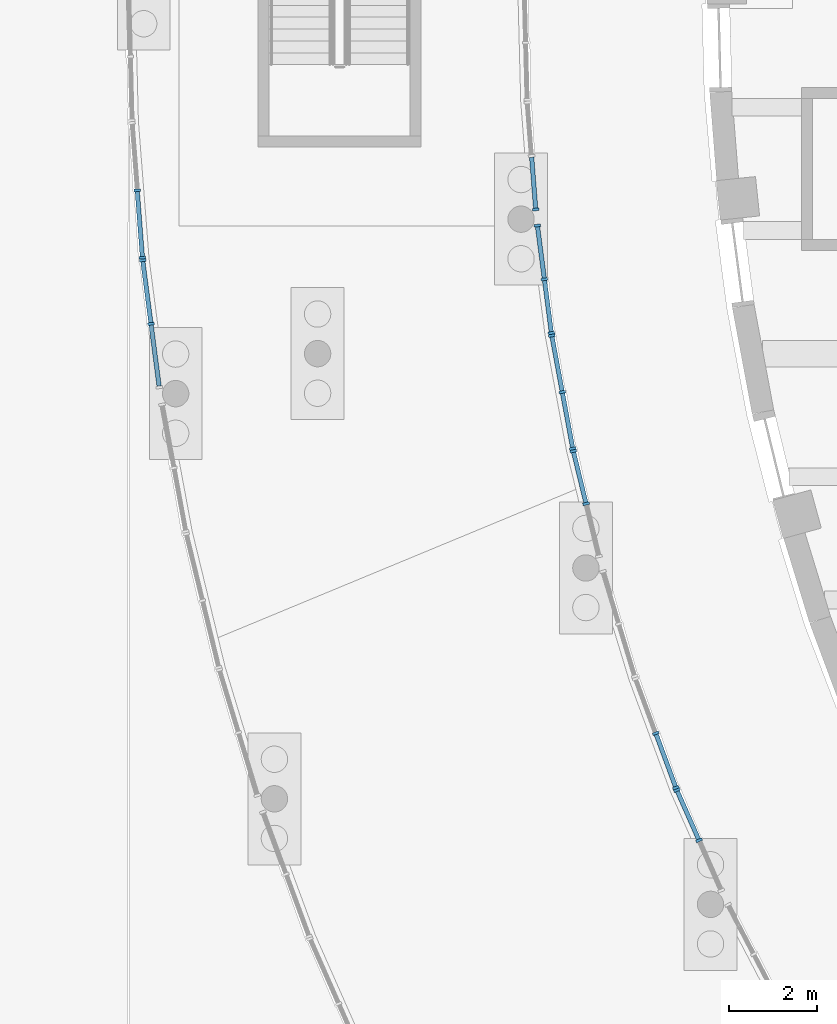
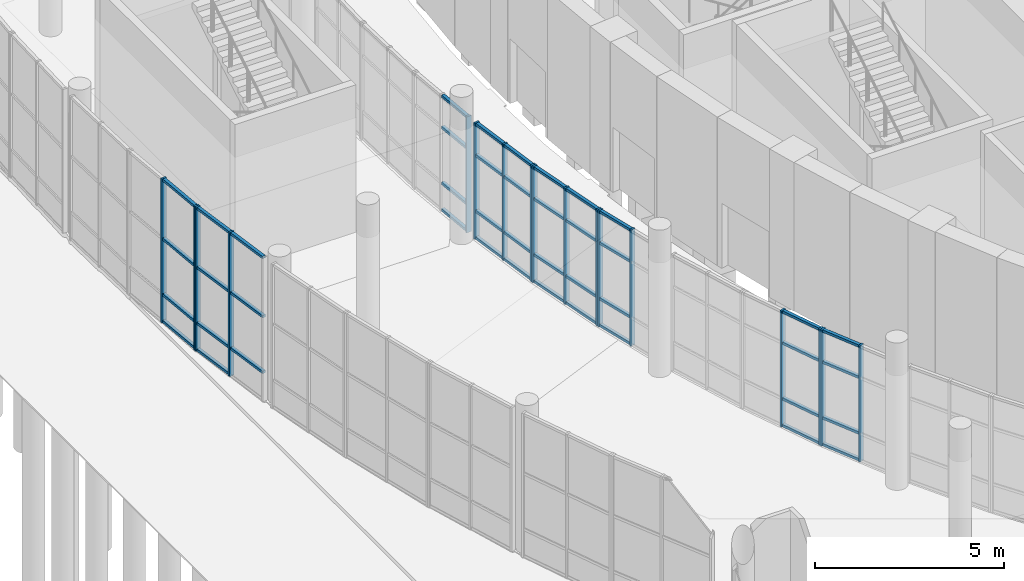
# One storey, part 21 of 110: 60 members, 8 elements without a shape of their own.
"""IFC4 building model written with IfcOpenShell, lengths in metres."""

from ifc_helpers import new_model, si_unit, direction, frame, origin, origin_2d, place, context, subcontext, project, spatial, rectangle, extrude, material, layer, layer_set, material_profile, profile_set, type_object, element, aggregate, save


model = new_model("IFC4")

# Units and contexts
model_context = context("Model", 3, precision=1e-05, world=origin(), true_north=direction((0.0, 1.0)))
body_context = subcontext(model_context, "Body", "Model", "MODEL_VIEW")
ifc_project = project(units=[si_unit("LENGTHUNIT", "METRE"), si_unit("AREAUNIT", "SQUARE_METRE"), si_unit("VOLUMEUNIT", "CUBIC_METRE"), si_unit("PLANEANGLEUNIT", "RADIAN"), si_unit("MASSUNIT", "GRAM", prefix="KILO")], contexts=[model_context])

# Site, building, storey
site_placement = place(None, origin())
site = spatial("IfcSite", under=ifc_project, at=site_placement, CompositionType="ELEMENT")
building_placement = place(site_placement, origin())
building = spatial("IfcBuilding", under=site, at=building_placement, Name="Larchfold Concert Hall", CompositionType="ELEMENT")
storey_placement = place(building_placement, origin())
storey = spatial("IfcBuildingStorey", under=building, at=storey_placement, Name="L00", CompositionType="ELEMENT", Elevation=0.0)

# Curtain wall, members
ifc_material_1 = material(Name="Anodised graphite aluminium curtain wall", Category="aluminium")
ifc_layer = layer(ifc_material_1, 0.14990234375)
ifc_layer_set = layer_set([ifc_layer], Name="Anodised graphite aluminium curtain wall")
curtain_wall_type = type_object("IfcCurtainWallType", Name="Curtain wall WG", PredefinedType="NOTDEFINED", material=ifc_layer_set)
curtain_wall_1_placement = place(storey_placement, origin())
curtain_wall_1 = element("IfcCurtainWall", 1, at=curtain_wall_1_placement, inside=storey, type_object=curtain_wall_type, Name="Curtain wall CW0063", PredefinedType="NOTDEFINED")
ifc_material_2 = material(Name="Anodised graphite aluminium mullion", Category="aluminium")
ifc_material_profile_1 = material_profile(ifc_material_2, rectangle(XDim=0.14990234375, YDim=0.06005859375, at=origin_2d()))
ifc_profile_set_1 = profile_set([ifc_material_profile_1], Name="Anodised graphite aluminium mullion")
member_type_1 = type_object("IfcMemberType", Name="Aluminium mullion 60x150", PredefinedType="MULLION", material=ifc_profile_set_1)
member_1_placement = place(storey_placement, frame((17.672119140625, 65.135986328125, 0.0), z_axis=(0.0, 0.0, 1.0), x_axis=(-0.914747417506, -0.40402618995, 0.0)))
member_1 = element("IfcMember", 2, at=member_1_placement, type_object=member_type_1, Name="CW0063 mullion 2", PredefinedType="MULLION", context=body_context, shape_type="SweptSolid", body=[
    extrude(rectangle(XDim=0.14990234375, YDim=0.06005859375, at=origin_2d()), origin(), (0.0, 0.0, 1.0), 3.75),
])
member_2_placement = place(storey_placement, frame((17.16845703125, 66.276611328125, 0.0), z_axis=(0.0, 0.0, 1.0), x_axis=(-0.914747417506, -0.40402618995, 0.0)))
member_2 = element("IfcMember", 3, at=member_2_placement, type_object=member_type_1, Name="CW0063 mullion 3", PredefinedType="MULLION", context=body_context, shape_type="SweptSolid", body=[
    extrude(rectangle(XDim=0.14990234375, YDim=0.06005859375, at=origin_2d()), origin(), (0.0, 0.0, 1.0), 3.75),
])

curtain_wall_2_placement = place(storey_placement, origin())
curtain_wall_2 = element("IfcCurtainWall", 4, at=curtain_wall_2_placement, inside=storey, type_object=curtain_wall_type, Name="Curtain wall CW0064", PredefinedType="NOTDEFINED")
member_3_placement = place(storey_placement, frame((17.145751953125, 66.33203125, 0.0), z_axis=(0.0, 0.0, 1.0), x_axis=(-0.938001528432, -0.346631119, 0.0)))
member_3 = element("IfcMember", 5, at=member_3_placement, type_object=member_type_1, Name="CW0064 mullion 1", PredefinedType="MULLION", context=body_context, shape_type="SweptSolid", body=[
    extrude(rectangle(XDim=0.14990234375, YDim=0.06005859375, at=origin_2d()), origin(), (0.0, 0.0, 1.0), 3.75),
])
member_4_placement = place(storey_placement, frame((16.688232421875, 67.5703125, 0.0), z_axis=(0.0, 0.0, 1.0), x_axis=(-0.938001528432, -0.346631119, 0.0)))
member_4 = element("IfcMember", 6, at=member_4_placement, type_object=member_type_1, Name="CW0064 mullion 2", PredefinedType="MULLION", context=body_context, shape_type="SweptSolid", body=[
    extrude(rectangle(XDim=0.14990234375, YDim=0.06005859375, at=origin_2d()), origin(), (0.0, 0.0, 1.0), 3.75),
])

curtain_wall_3_placement = place(storey_placement, origin())
curtain_wall_3 = element("IfcCurtainWall", 7, at=curtain_wall_3_placement, inside=storey, type_object=curtain_wall_type, Name="Curtain wall CW0066", PredefinedType="NOTDEFINED")
member_5_placement = place(storey_placement, frame((15.1044921875, 72.787841796875, 0.0), z_axis=(0.0, 0.0, 1.0), x_axis=(-0.971766073128, -0.235946390347, 0.0)))
member_5 = element("IfcMember", 8, at=member_5_placement, type_object=member_type_1, Name="CW0066 mullion 2", PredefinedType="MULLION", context=body_context, shape_type="SweptSolid", body=[
    extrude(rectangle(XDim=0.14990234375, YDim=0.06005859375, at=origin_2d()), origin(), (0.0, 0.0, 1.0), 3.75),
])
member_6_placement = place(storey_placement, frame((14.81396484375, 73.984130859375, 0.0), z_axis=(0.0, 0.0, 1.0), x_axis=(-0.971766073128, -0.235946390347, 0.0)))
member_6 = element("IfcMember", 9, at=member_6_placement, type_object=member_type_1, Name="CW0066 mullion 3", PredefinedType="MULLION", context=body_context, shape_type="SweptSolid", body=[
    extrude(rectangle(XDim=0.14990234375, YDim=0.06005859375, at=origin_2d()), origin(), (0.0, 0.0, 1.0), 3.75),
])

curtain_wall_4_placement = place(storey_placement, origin())
curtain_wall_4 = element("IfcCurtainWall", 10, at=curtain_wall_4_placement, inside=storey, type_object=curtain_wall_type, Name="Curtain wall CW0067", PredefinedType="NOTDEFINED")
member_7_placement = place(storey_placement, frame((14.801513671875, 74.042724609375, 0.0), z_axis=(0.0, 0.0, 1.0), x_axis=(-0.983226211079, -0.182390289896, 0.0)))
member_7 = element("IfcMember", 11, at=member_7_placement, type_object=member_type_1, Name="CW0067 mullion 1", PredefinedType="MULLION", context=body_context, shape_type="SweptSolid", body=[
    extrude(rectangle(XDim=0.14990234375, YDim=0.06005859375, at=origin_2d()), origin(), (0.0, 0.0, 1.0), 3.75),
])
member_8_placement = place(storey_placement, frame((14.563232421875, 75.32666015625, 0.0), z_axis=(0.0, 0.0, 1.0), x_axis=(-0.983226211079, -0.182390289896, 0.0)))
member_8 = element("IfcMember", 12, at=member_8_placement, type_object=member_type_1, Name="CW0067 mullion 2", PredefinedType="MULLION", context=body_context, shape_type="SweptSolid", body=[
    extrude(rectangle(XDim=0.14990234375, YDim=0.06005859375, at=origin_2d()), origin(), (0.0, 0.0, 1.0), 3.75),
])
member_9_placement = place(storey_placement, frame((14.324951171875, 76.610595703125, 0.0), z_axis=(0.0, 0.0, 1.0), x_axis=(-0.983226211079, -0.182390289896, 0.0)))
member_9 = element("IfcMember", 13, at=member_9_placement, type_object=member_type_1, Name="CW0067 mullion 3", PredefinedType="MULLION", context=body_context, shape_type="SweptSolid", body=[
    extrude(rectangle(XDim=0.14990234375, YDim=0.06005859375, at=origin_2d()), origin(), (0.0, 0.0, 1.0), 3.75),
])

curtain_wall_5_placement = place(storey_placement, origin())
curtain_wall_5 = element("IfcCurtainWall", 14, at=curtain_wall_5_placement, inside=storey, type_object=curtain_wall_type, Name="Curtain wall CW0068", PredefinedType="NOTDEFINED")
member_10_placement = place(storey_placement, frame((14.315673828125, 76.669921875, 0.0), z_axis=(0.0, 0.0, 1.0), x_axis=(-0.991556102919, -0.129678428289, 0.0)))
member_10 = element("IfcMember", 15, at=member_10_placement, type_object=member_type_1, Name="CW0068 mullion 1", PredefinedType="MULLION", context=body_context, shape_type="SweptSolid", body=[
    extrude(rectangle(XDim=0.14990234375, YDim=0.06005859375, at=origin_2d()), origin(), (0.0, 0.0, 1.0), 3.75),
])
member_11_placement = place(storey_placement, frame((14.156005859375, 77.890869140625, 0.0), z_axis=(0.0, 0.0, 1.0), x_axis=(-0.991556102919, -0.129678428289, 0.0)))
member_11 = element("IfcMember", 16, at=member_11_placement, type_object=member_type_1, Name="CW0068 mullion 2", PredefinedType="MULLION", context=body_context, shape_type="SweptSolid", body=[
    extrude(rectangle(XDim=0.14990234375, YDim=0.06005859375, at=origin_2d()), origin(), (0.0, 0.0, 1.0), 3.75),
])
member_12_placement = place(storey_placement, frame((13.996337890625, 79.11181640625, 0.0), z_axis=(0.0, 0.0, 1.0), x_axis=(-0.991556102919, -0.129678428289, 0.0)))
member_12 = element("IfcMember", 17, at=member_12_placement, type_object=member_type_1, Name="CW0068 mullion 3", PredefinedType="MULLION", context=body_context, shape_type="SweptSolid", body=[
    extrude(rectangle(XDim=0.14990234375, YDim=0.06005859375, at=origin_2d()), origin(), (0.0, 0.0, 1.0), 3.75),
])

# Curtain wall, member
curtain_wall_6_placement = place(storey_placement, origin())
curtain_wall_6 = element("IfcCurtainWall", 18, at=curtain_wall_6_placement, inside=storey, type_object=curtain_wall_type, Name="Curtain wall CW0069", PredefinedType="NOTDEFINED")
member_13_placement = place(storey_placement, frame((13.958740234375, 79.477294921875, 0.0), z_axis=(0.0, 0.0, 1.0), x_axis=(-0.996988627345, -0.077547900972, 0.0)))
member_13 = element("IfcMember", 19, at=member_13_placement, type_object=member_type_1, Name="CW0069 mullion 1", PredefinedType="MULLION", context=body_context, shape_type="SweptSolid", body=[
    extrude(rectangle(XDim=0.14990234375, YDim=0.06005859375, at=origin_2d()), origin(), (0.0, 0.0, 1.0), 3.75),
])

# Curtain wall, members
curtain_wall_7_placement = place(storey_placement, origin())
curtain_wall_7 = element("IfcCurtainWall", 20, at=curtain_wall_7_placement, inside=storey, type_object=curtain_wall_type, Name="Curtain wall CW0120", PredefinedType="NOTDEFINED")
member_14_placement = place(storey_placement, frame((4.897705078125, 79.912841796875, 0.0), z_axis=(0.0, 0.0, 1.0), x_axis=(0.996995051833, 0.077465260739, 0.0)))
member_14 = element("IfcMember", 21, at=member_14_placement, type_object=member_type_1, Name="CW0120 mullion 2", PredefinedType="MULLION", context=body_context, shape_type="SweptSolid", body=[
    extrude(rectangle(XDim=0.14990234375, YDim=0.06005859375, at=origin_2d()), origin(), (0.0, 0.0, 1.0), 4.64990234375),
])
member_15_placement = place(storey_placement, frame((5.0166015625, 78.381103515625, 0.0), z_axis=(0.0, 0.0, 1.0), x_axis=(0.996995051833, 0.077465260739, 0.0)))
member_15 = element("IfcMember", 22, at=member_15_placement, type_object=member_type_1, Name="CW0120 mullion 3", PredefinedType="MULLION", context=body_context, shape_type="SweptSolid", body=[
    extrude(rectangle(XDim=0.14990234375, YDim=0.06005859375, at=origin_2d()), origin(), (0.0, 0.0, 1.0), 4.64990234375),
])

curtain_wall_8_placement = place(storey_placement, origin())
curtain_wall_8 = element("IfcCurtainWall", 23, at=curtain_wall_8_placement, inside=storey, type_object=curtain_wall_type, Name="Curtain wall CW0121", PredefinedType="NOTDEFINED")
member_16_placement = place(storey_placement, frame((5.02294921875, 78.3212890625, 0.0), z_axis=(0.0, 0.0, 1.0), x_axis=(0.99154490594, 0.129764014676, 0.0)))
member_16 = element("IfcMember", 24, at=member_16_placement, type_object=member_type_1, Name="CW0121 mullion 1", PredefinedType="MULLION", context=body_context, shape_type="SweptSolid", body=[
    extrude(rectangle(XDim=0.14990234375, YDim=0.06005859375, at=origin_2d()), origin(), (0.0, 0.0, 1.0), 4.64990234375),
])
member_17_placement = place(storey_placement, frame((5.2119140625, 76.87744140625, 0.0), z_axis=(0.0, 0.0, 1.0), x_axis=(0.99154490594, 0.129764014676, 0.0)))
member_17 = element("IfcMember", 25, at=member_17_placement, type_object=member_type_1, Name="CW0121 mullion 2", PredefinedType="MULLION", context=body_context, shape_type="SweptSolid", body=[
    extrude(rectangle(XDim=0.14990234375, YDim=0.06005859375, at=origin_2d()), origin(), (0.0, 0.0, 1.0), 4.64990234375),
])

# Member
ifc_material_3 = material(Name="Anodised graphite aluminium transom", Category="aluminium")
ifc_material_profile_2 = material_profile(ifc_material_3, rectangle(XDim=0.10009765625, YDim=0.080078125, at=origin_2d()))
ifc_profile_set_2 = profile_set([ifc_material_profile_2], Name="Anodised graphite aluminium transom")
member_type_2 = type_object("IfcMemberType", Name="Aluminium transom 80x100", PredefinedType="USERDEFINED", material=ifc_profile_set_2)
member_18_placement = place(storey_placement, frame((17.659912109375, 65.163330078125, 0.0400390625), z_axis=(-0.403999745193, 0.914759097186, 0.0), x_axis=(-0.914759097186, -0.403999745193, 0.0)))
member_18 = element("IfcMember", 26, at=member_18_placement, type_object=member_type_2, Name="CW0063 transom 2.1", ObjectType="TRANSOM", PredefinedType="USERDEFINED", context=body_context, shape_type="SweptSolid", body=[
    extrude(rectangle(XDim=0.10009765625, YDim=0.080078125, at=origin_2d()), origin(), (0.0, 0.0, 1.0), 1.186767578125),
])

member_19_placement = place(storey_placement, frame((17.659912109375, 65.163330078125, 0.89990234375), z_axis=(-0.403999745193, 0.914759097186, 0.0), x_axis=(-0.914759097186, -0.403999745193, 0.0)))
member_19 = element("IfcMember", 27, at=member_19_placement, type_object=member_type_2, Name="CW0063 transom 2.2", ObjectType="TRANSOM", PredefinedType="USERDEFINED", context=body_context, shape_type="SweptSolid", body=[
    extrude(rectangle(XDim=0.10009765625, YDim=0.080078125, at=origin_2d()), origin(), (0.0, 0.0, 1.0), 1.186767578125),
])

member_20_placement = place(storey_placement, frame((17.659912109375, 65.163330078125, 2.699951171875), z_axis=(-0.403999745193, 0.914759097186, 0.0), x_axis=(-0.914759097186, -0.403999745193, 0.0)))
member_20 = element("IfcMember", 28, at=member_20_placement, type_object=member_type_2, Name="CW0063 transom 2.3", ObjectType="TRANSOM", PredefinedType="USERDEFINED", context=body_context, shape_type="SweptSolid", body=[
    extrude(rectangle(XDim=0.10009765625, YDim=0.080078125, at=origin_2d()), origin(), (0.0, 0.0, 1.0), 1.186767578125),
])

member_21_placement = place(storey_placement, frame((17.659912109375, 65.163330078125, 3.7099609375), z_axis=(-0.403999745193, 0.914759097186, 0.0), x_axis=(-0.914759097186, -0.403999745193, 0.0)))
member_21 = element("IfcMember", 29, at=member_21_placement, type_object=member_type_2, Name="CW0063 transom 2.4", ObjectType="TRANSOM", PredefinedType="USERDEFINED", context=body_context, shape_type="SweptSolid", body=[
    extrude(rectangle(XDim=0.10009765625, YDim=0.080078125, at=origin_2d()), origin(), (0.0, 0.0, 1.0), 1.186767578125),
])

aggregate(curtain_wall_1, [member_1, member_2, member_18, member_19, member_20, member_21])

member_22_placement = place(storey_placement, frame((17.135498046875, 66.3603515625, 0.0400390625), z_axis=(-0.346639022733, 0.937998607631, 0.0), x_axis=(-0.937998607631, -0.346639022733, 0.0)))
member_22 = element("IfcMember", 30, at=member_22_placement, type_object=member_type_2, Name="CW0064 transom 1.1", ObjectType="TRANSOM", PredefinedType="USERDEFINED", context=body_context, shape_type="SweptSolid", body=[
    extrude(rectangle(XDim=0.10009765625, YDim=0.080078125, at=origin_2d()), origin(), (0.0, 0.0, 1.0), 1.260009765625),
])

member_23_placement = place(storey_placement, frame((17.135498046875, 66.3603515625, 0.89990234375), z_axis=(-0.346639022733, 0.937998607631, 0.0), x_axis=(-0.937998607631, -0.346639022733, 0.0)))
member_23 = element("IfcMember", 31, at=member_23_placement, type_object=member_type_2, Name="CW0064 transom 1.2", ObjectType="TRANSOM", PredefinedType="USERDEFINED", context=body_context, shape_type="SweptSolid", body=[
    extrude(rectangle(XDim=0.10009765625, YDim=0.080078125, at=origin_2d()), origin(), (0.0, 0.0, 1.0), 1.260009765625),
])

member_24_placement = place(storey_placement, frame((17.135498046875, 66.3603515625, 2.699951171875), z_axis=(-0.346639022733, 0.937998607631, 0.0), x_axis=(-0.937998607631, -0.346639022733, 0.0)))
member_24 = element("IfcMember", 32, at=member_24_placement, type_object=member_type_2, Name="CW0064 transom 1.3", ObjectType="TRANSOM", PredefinedType="USERDEFINED", context=body_context, shape_type="SweptSolid", body=[
    extrude(rectangle(XDim=0.10009765625, YDim=0.080078125, at=origin_2d()), origin(), (0.0, 0.0, 1.0), 1.260009765625),
])

member_25_placement = place(storey_placement, frame((17.135498046875, 66.3603515625, 3.7099609375), z_axis=(-0.346639022733, 0.937998607631, 0.0), x_axis=(-0.937998607631, -0.346639022733, 0.0)))
member_25 = element("IfcMember", 33, at=member_25_placement, type_object=member_type_2, Name="CW0064 transom 1.4", ObjectType="TRANSOM", PredefinedType="USERDEFINED", context=body_context, shape_type="SweptSolid", body=[
    extrude(rectangle(XDim=0.10009765625, YDim=0.080078125, at=origin_2d()), origin(), (0.0, 0.0, 1.0), 1.260009765625),
])

aggregate(curtain_wall_2, [member_3, member_4, member_22, member_23, member_24, member_25])

member_26_placement = place(storey_placement, frame((15.097412109375, 72.817138671875, 0.0400390625), z_axis=(-0.236053588848, 0.971740038895, 0.0), x_axis=(-0.971740038895, -0.236053588848, 0.0)))
member_26 = element("IfcMember", 34, at=member_26_placement, type_object=member_type_2, Name="CW0066 transom 2.1", ObjectType="TRANSOM", PredefinedType="USERDEFINED", context=body_context, shape_type="SweptSolid", body=[
    extrude(rectangle(XDim=0.10009765625, YDim=0.080078125, at=origin_2d()), origin(), (0.0, 0.0, 1.0), 1.1708984375),
])

member_27_placement = place(storey_placement, frame((15.097412109375, 72.817138671875, 0.89990234375), z_axis=(-0.236053588848, 0.971740038895, 0.0), x_axis=(-0.971740038895, -0.236053588848, 0.0)))
member_27 = element("IfcMember", 35, at=member_27_placement, type_object=member_type_2, Name="CW0066 transom 2.2", ObjectType="TRANSOM", PredefinedType="USERDEFINED", context=body_context, shape_type="SweptSolid", body=[
    extrude(rectangle(XDim=0.10009765625, YDim=0.080078125, at=origin_2d()), origin(), (0.0, 0.0, 1.0), 1.1708984375),
])

member_28_placement = place(storey_placement, frame((15.097412109375, 72.817138671875, 2.699951171875), z_axis=(-0.236053588848, 0.971740038895, 0.0), x_axis=(-0.971740038895, -0.236053588848, 0.0)))
member_28 = element("IfcMember", 36, at=member_28_placement, type_object=member_type_2, Name="CW0066 transom 2.3", ObjectType="TRANSOM", PredefinedType="USERDEFINED", context=body_context, shape_type="SweptSolid", body=[
    extrude(rectangle(XDim=0.10009765625, YDim=0.080078125, at=origin_2d()), origin(), (0.0, 0.0, 1.0), 1.1708984375),
])

member_29_placement = place(storey_placement, frame((15.097412109375, 72.817138671875, 3.7099609375), z_axis=(-0.236053588848, 0.971740038895, 0.0), x_axis=(-0.971740038895, -0.236053588848, 0.0)))
member_29 = element("IfcMember", 37, at=member_29_placement, type_object=member_type_2, Name="CW0066 transom 2.4", ObjectType="TRANSOM", PredefinedType="USERDEFINED", context=body_context, shape_type="SweptSolid", body=[
    extrude(rectangle(XDim=0.10009765625, YDim=0.080078125, at=origin_2d()), origin(), (0.0, 0.0, 1.0), 1.1708984375),
])

aggregate(curtain_wall_3, [member_5, member_6, member_26, member_27, member_28, member_29])

member_30_placement = place(storey_placement, frame((14.7958984375, 74.072265625, 0.0400390625), z_axis=(-0.182454169497, 0.983214359147, 0.0), x_axis=(-0.983214359147, -0.182454169497, 0.0)))
member_30 = element("IfcMember", 38, at=member_30_placement, type_object=member_type_2, Name="CW0067 transom 1.1", ObjectType="TRANSOM", PredefinedType="USERDEFINED", context=body_context, shape_type="SweptSolid", body=[
    extrude(rectangle(XDim=0.10009765625, YDim=0.080078125, at=origin_2d()), origin(), (0.0, 0.0, 1.0), 1.245849609375),
])

member_31_placement = place(storey_placement, frame((14.7958984375, 74.072265625, 0.89990234375), z_axis=(-0.182454169497, 0.983214359147, 0.0), x_axis=(-0.983214359147, -0.182454169497, 0.0)))
member_31 = element("IfcMember", 39, at=member_31_placement, type_object=member_type_2, Name="CW0067 transom 1.2", ObjectType="TRANSOM", PredefinedType="USERDEFINED", context=body_context, shape_type="SweptSolid", body=[
    extrude(rectangle(XDim=0.10009765625, YDim=0.080078125, at=origin_2d()), origin(), (0.0, 0.0, 1.0), 1.245849609375),
])

member_32_placement = place(storey_placement, frame((14.7958984375, 74.072265625, 2.699951171875), z_axis=(-0.182454169497, 0.983214359147, 0.0), x_axis=(-0.983214359147, -0.182454169497, 0.0)))
member_32 = element("IfcMember", 40, at=member_32_placement, type_object=member_type_2, Name="CW0067 transom 1.3", ObjectType="TRANSOM", PredefinedType="USERDEFINED", context=body_context, shape_type="SweptSolid", body=[
    extrude(rectangle(XDim=0.10009765625, YDim=0.080078125, at=origin_2d()), origin(), (0.0, 0.0, 1.0), 1.245849609375),
])

member_33_placement = place(storey_placement, frame((14.7958984375, 74.072265625, 3.7099609375), z_axis=(-0.182454169497, 0.983214359147, 0.0), x_axis=(-0.983214359147, -0.182454169497, 0.0)))
member_33 = element("IfcMember", 41, at=member_33_placement, type_object=member_type_2, Name="CW0067 transom 1.4", ObjectType="TRANSOM", PredefinedType="USERDEFINED", context=body_context, shape_type="SweptSolid", body=[
    extrude(rectangle(XDim=0.10009765625, YDim=0.080078125, at=origin_2d()), origin(), (0.0, 0.0, 1.0), 1.245849609375),
])

member_34_placement = place(storey_placement, frame((14.557861328125, 75.356201171875, 0.0400390625), z_axis=(-0.182454169497, 0.983214359147, 0.0), x_axis=(-0.983214359147, -0.182454169497, 0.0)))
member_34 = element("IfcMember", 42, at=member_34_placement, type_object=member_type_2, Name="CW0067 transom 2.1", ObjectType="TRANSOM", PredefinedType="USERDEFINED", context=body_context, shape_type="SweptSolid", body=[
    extrude(rectangle(XDim=0.10009765625, YDim=0.080078125, at=origin_2d()), origin(), (0.0, 0.0, 1.0), 1.245849609375),
])

member_35_placement = place(storey_placement, frame((14.557861328125, 75.356201171875, 0.89990234375), z_axis=(-0.182454169497, 0.983214359147, 0.0), x_axis=(-0.983214359147, -0.182454169497, 0.0)))
member_35 = element("IfcMember", 43, at=member_35_placement, type_object=member_type_2, Name="CW0067 transom 2.2", ObjectType="TRANSOM", PredefinedType="USERDEFINED", context=body_context, shape_type="SweptSolid", body=[
    extrude(rectangle(XDim=0.10009765625, YDim=0.080078125, at=origin_2d()), origin(), (0.0, 0.0, 1.0), 1.245849609375),
])

member_36_placement = place(storey_placement, frame((14.557861328125, 75.356201171875, 2.699951171875), z_axis=(-0.182454169497, 0.983214359147, 0.0), x_axis=(-0.983214359147, -0.182454169497, 0.0)))
member_36 = element("IfcMember", 44, at=member_36_placement, type_object=member_type_2, Name="CW0067 transom 2.3", ObjectType="TRANSOM", PredefinedType="USERDEFINED", context=body_context, shape_type="SweptSolid", body=[
    extrude(rectangle(XDim=0.10009765625, YDim=0.080078125, at=origin_2d()), origin(), (0.0, 0.0, 1.0), 1.245849609375),
])

member_37_placement = place(storey_placement, frame((14.557861328125, 75.356201171875, 3.7099609375), z_axis=(-0.182454169497, 0.983214359147, 0.0), x_axis=(-0.983214359147, -0.182454169497, 0.0)))
member_37 = element("IfcMember", 45, at=member_37_placement, type_object=member_type_2, Name="CW0067 transom 2.4", ObjectType="TRANSOM", PredefinedType="USERDEFINED", context=body_context, shape_type="SweptSolid", body=[
    extrude(rectangle(XDim=0.10009765625, YDim=0.080078125, at=origin_2d()), origin(), (0.0, 0.0, 1.0), 1.245849609375),
])

aggregate(curtain_wall_4, [member_7, member_8, member_9, member_30, member_31, member_32, member_33, member_34, member_35, member_36, member_37])

member_38_placement = place(storey_placement, frame((14.311767578125, 76.69970703125, 0.0400390625), z_axis=(-0.129651066135, 0.991559681033, 0.0), x_axis=(-0.991559681033, -0.129651066135, 0.0)))
member_38 = element("IfcMember", 46, at=member_38_placement, type_object=member_type_2, Name="CW0068 transom 1.1", ObjectType="TRANSOM", PredefinedType="USERDEFINED", context=body_context, shape_type="SweptSolid", body=[
    extrude(rectangle(XDim=0.10009765625, YDim=0.080078125, at=origin_2d()), origin(), (0.0, 0.0, 1.0), 1.171142578125),
])

member_39_placement = place(storey_placement, frame((14.311767578125, 76.69970703125, 0.89990234375), z_axis=(-0.129651066135, 0.991559681033, 0.0), x_axis=(-0.991559681033, -0.129651066135, 0.0)))
member_39 = element("IfcMember", 47, at=member_39_placement, type_object=member_type_2, Name="CW0068 transom 1.2", ObjectType="TRANSOM", PredefinedType="USERDEFINED", context=body_context, shape_type="SweptSolid", body=[
    extrude(rectangle(XDim=0.10009765625, YDim=0.080078125, at=origin_2d()), origin(), (0.0, 0.0, 1.0), 1.171142578125),
])

member_40_placement = place(storey_placement, frame((14.311767578125, 76.69970703125, 2.699951171875), z_axis=(-0.129651066135, 0.991559681033, 0.0), x_axis=(-0.991559681033, -0.129651066135, 0.0)))
member_40 = element("IfcMember", 48, at=member_40_placement, type_object=member_type_2, Name="CW0068 transom 1.3", ObjectType="TRANSOM", PredefinedType="USERDEFINED", context=body_context, shape_type="SweptSolid", body=[
    extrude(rectangle(XDim=0.10009765625, YDim=0.080078125, at=origin_2d()), origin(), (0.0, 0.0, 1.0), 1.171142578125),
])

member_41_placement = place(storey_placement, frame((14.311767578125, 76.69970703125, 3.7099609375), z_axis=(-0.129651066135, 0.991559681033, 0.0), x_axis=(-0.991559681033, -0.129651066135, 0.0)))
member_41 = element("IfcMember", 49, at=member_41_placement, type_object=member_type_2, Name="CW0068 transom 1.4", ObjectType="TRANSOM", PredefinedType="USERDEFINED", context=body_context, shape_type="SweptSolid", body=[
    extrude(rectangle(XDim=0.10009765625, YDim=0.080078125, at=origin_2d()), origin(), (0.0, 0.0, 1.0), 1.171142578125),
])

member_42_placement = place(storey_placement, frame((14.152099609375, 77.920654296875, 0.0400390625), z_axis=(-0.129651066135, 0.991559681033, 0.0), x_axis=(-0.991559681033, -0.129651066135, 0.0)))
member_42 = element("IfcMember", 50, at=member_42_placement, type_object=member_type_2, Name="CW0068 transom 2.1", ObjectType="TRANSOM", PredefinedType="USERDEFINED", context=body_context, shape_type="SweptSolid", body=[
    extrude(rectangle(XDim=0.10009765625, YDim=0.080078125, at=origin_2d()), origin(), (0.0, 0.0, 1.0), 1.171142578125),
])

member_43_placement = place(storey_placement, frame((14.152099609375, 77.920654296875, 0.89990234375), z_axis=(-0.129651066135, 0.991559681033, 0.0), x_axis=(-0.991559681033, -0.129651066135, 0.0)))
member_43 = element("IfcMember", 51, at=member_43_placement, type_object=member_type_2, Name="CW0068 transom 2.2", ObjectType="TRANSOM", PredefinedType="USERDEFINED", context=body_context, shape_type="SweptSolid", body=[
    extrude(rectangle(XDim=0.10009765625, YDim=0.080078125, at=origin_2d()), origin(), (0.0, 0.0, 1.0), 1.171142578125),
])

member_44_placement = place(storey_placement, frame((14.152099609375, 77.920654296875, 2.699951171875), z_axis=(-0.129651066135, 0.991559681033, 0.0), x_axis=(-0.991559681033, -0.129651066135, 0.0)))
member_44 = element("IfcMember", 52, at=member_44_placement, type_object=member_type_2, Name="CW0068 transom 2.3", ObjectType="TRANSOM", PredefinedType="USERDEFINED", context=body_context, shape_type="SweptSolid", body=[
    extrude(rectangle(XDim=0.10009765625, YDim=0.080078125, at=origin_2d()), origin(), (0.0, 0.0, 1.0), 1.171142578125),
])

member_45_placement = place(storey_placement, frame((14.152099609375, 77.920654296875, 3.7099609375), z_axis=(-0.129651066135, 0.991559681033, 0.0), x_axis=(-0.991559681033, -0.129651066135, 0.0)))
member_45 = element("IfcMember", 53, at=member_45_placement, type_object=member_type_2, Name="CW0068 transom 2.4", ObjectType="TRANSOM", PredefinedType="USERDEFINED", context=body_context, shape_type="SweptSolid", body=[
    extrude(rectangle(XDim=0.10009765625, YDim=0.080078125, at=origin_2d()), origin(), (0.0, 0.0, 1.0), 1.171142578125),
])

aggregate(curtain_wall_5, [member_10, member_11, member_12, member_38, member_39, member_40, member_41, member_42, member_43, member_44, member_45])

member_46_placement = place(storey_placement, frame((13.95654296875, 79.507080078125, 0.0400390625), z_axis=(-0.077469186407, 0.996994746805, 0.0), x_axis=(-0.996994746805, -0.077469186407, 0.0)))
member_46 = element("IfcMember", 54, at=member_46_placement, type_object=member_type_2, Name="CW0069 transom 1.1", ObjectType="TRANSOM", PredefinedType="USERDEFINED", context=body_context, shape_type="SweptSolid", body=[
    extrude(rectangle(XDim=0.10009765625, YDim=0.080078125, at=origin_2d()), origin(), (0.0, 0.0, 1.0), 1.15966796875),
])

member_47_placement = place(storey_placement, frame((13.95654296875, 79.507080078125, 0.89990234375), z_axis=(-0.077469186407, 0.996994746805, 0.0), x_axis=(-0.996994746805, -0.077469186407, 0.0)))
member_47 = element("IfcMember", 55, at=member_47_placement, type_object=member_type_2, Name="CW0069 transom 1.2", ObjectType="TRANSOM", PredefinedType="USERDEFINED", context=body_context, shape_type="SweptSolid", body=[
    extrude(rectangle(XDim=0.10009765625, YDim=0.080078125, at=origin_2d()), origin(), (0.0, 0.0, 1.0), 1.15966796875),
])

member_48_placement = place(storey_placement, frame((13.95654296875, 79.507080078125, 2.699951171875), z_axis=(-0.077469186407, 0.996994746805, 0.0), x_axis=(-0.996994746805, -0.077469186407, 0.0)))
member_48 = element("IfcMember", 56, at=member_48_placement, type_object=member_type_2, Name="CW0069 transom 1.3", ObjectType="TRANSOM", PredefinedType="USERDEFINED", context=body_context, shape_type="SweptSolid", body=[
    extrude(rectangle(XDim=0.10009765625, YDim=0.080078125, at=origin_2d()), origin(), (0.0, 0.0, 1.0), 1.15966796875),
])

member_49_placement = place(storey_placement, frame((13.95654296875, 79.507080078125, 3.7099609375), z_axis=(-0.077469186407, 0.996994746805, 0.0), x_axis=(-0.996994746805, -0.077469186407, 0.0)))
member_49 = element("IfcMember", 57, at=member_49_placement, type_object=member_type_2, Name="CW0069 transom 1.4", ObjectType="TRANSOM", PredefinedType="USERDEFINED", context=body_context, shape_type="SweptSolid", body=[
    extrude(rectangle(XDim=0.10009765625, YDim=0.080078125, at=origin_2d()), origin(), (0.0, 0.0, 1.0), 1.15966796875),
])

aggregate(curtain_wall_6, [member_13, member_46, member_47, member_48, member_49])

member_50_placement = place(storey_placement, frame((4.900146484375, 79.8828125, 0.0400390625), z_axis=(0.077391996533, -0.997000741661, 0.0), x_axis=(0.997000741661, 0.077391996533, 0.0)))
member_50 = element("IfcMember", 58, at=member_50_placement, type_object=member_type_2, Name="CW0120 transom 2.1", ObjectType="TRANSOM", PredefinedType="USERDEFINED", context=body_context, shape_type="SweptSolid", body=[
    extrude(rectangle(XDim=0.10009765625, YDim=0.080078125, at=origin_2d()), origin(), (0.0, 0.0, 1.0), 1.476318359375),
])

member_51_placement = place(storey_placement, frame((4.900146484375, 79.8828125, 0.89990234375), z_axis=(0.077391996533, -0.997000741661, 0.0), x_axis=(0.997000741661, 0.077391996533, 0.0)))
member_51 = element("IfcMember", 59, at=member_51_placement, type_object=member_type_2, Name="CW0120 transom 2.2", ObjectType="TRANSOM", PredefinedType="USERDEFINED", context=body_context, shape_type="SweptSolid", body=[
    extrude(rectangle(XDim=0.10009765625, YDim=0.080078125, at=origin_2d()), origin(), (0.0, 0.0, 1.0), 1.476318359375),
])

member_52_placement = place(storey_placement, frame((4.900146484375, 79.8828125, 2.699951171875), z_axis=(0.077391996533, -0.997000741661, 0.0), x_axis=(0.997000741661, 0.077391996533, 0.0)))
member_52 = element("IfcMember", 60, at=member_52_placement, type_object=member_type_2, Name="CW0120 transom 2.3", ObjectType="TRANSOM", PredefinedType="USERDEFINED", context=body_context, shape_type="SweptSolid", body=[
    extrude(rectangle(XDim=0.10009765625, YDim=0.080078125, at=origin_2d()), origin(), (0.0, 0.0, 1.0), 1.476318359375),
])

member_53_placement = place(storey_placement, frame((4.900146484375, 79.8828125, 4.60986328125), z_axis=(0.077391996533, -0.997000741661, 0.0), x_axis=(0.997000741661, 0.077391996533, 0.0)))
member_53 = element("IfcMember", 61, at=member_53_placement, type_object=member_type_2, Name="CW0120 transom 2.4", ObjectType="TRANSOM", PredefinedType="USERDEFINED", context=body_context, shape_type="SweptSolid", body=[
    extrude(rectangle(XDim=0.10009765625, YDim=0.080078125, at=origin_2d()), origin(), (0.0, 0.0, 1.0), 1.476318359375),
])

aggregate(curtain_wall_7, [member_14, member_15, member_50, member_51, member_52, member_53])

member_54_placement = place(storey_placement, frame((5.02685546875, 78.29150390625, 0.0400390625), z_axis=(0.129735338481, -0.991548658387, 0.0), x_axis=(0.991548658387, 0.129735338481, 0.0)))
member_54 = element("IfcMember", 62, at=member_54_placement, type_object=member_type_2, Name="CW0121 transom 1.1", ObjectType="TRANSOM", PredefinedType="USERDEFINED", context=body_context, shape_type="SweptSolid", body=[
    extrude(rectangle(XDim=0.10009765625, YDim=0.080078125, at=origin_2d()), origin(), (0.0, 0.0, 1.0), 1.396240234375),
])

member_55_placement = place(storey_placement, frame((5.02685546875, 78.29150390625, 0.89990234375), z_axis=(0.129735338481, -0.991548658387, 0.0), x_axis=(0.991548658387, 0.129735338481, 0.0)))
member_55 = element("IfcMember", 63, at=member_55_placement, type_object=member_type_2, Name="CW0121 transom 1.2", ObjectType="TRANSOM", PredefinedType="USERDEFINED", context=body_context, shape_type="SweptSolid", body=[
    extrude(rectangle(XDim=0.10009765625, YDim=0.080078125, at=origin_2d()), origin(), (0.0, 0.0, 1.0), 1.396240234375),
])

member_56_placement = place(storey_placement, frame((5.02685546875, 78.29150390625, 2.699951171875), z_axis=(0.129735338481, -0.991548658387, 0.0), x_axis=(0.991548658387, 0.129735338481, 0.0)))
member_56 = element("IfcMember", 64, at=member_56_placement, type_object=member_type_2, Name="CW0121 transom 1.3", ObjectType="TRANSOM", PredefinedType="USERDEFINED", context=body_context, shape_type="SweptSolid", body=[
    extrude(rectangle(XDim=0.10009765625, YDim=0.080078125, at=origin_2d()), origin(), (0.0, 0.0, 1.0), 1.396240234375),
])

member_57_placement = place(storey_placement, frame((5.02685546875, 78.29150390625, 4.60986328125), z_axis=(0.129735338481, -0.991548658387, 0.0), x_axis=(0.991548658387, 0.129735338481, 0.0)))
member_57 = element("IfcMember", 65, at=member_57_placement, type_object=member_type_2, Name="CW0121 transom 1.4", ObjectType="TRANSOM", PredefinedType="USERDEFINED", context=body_context, shape_type="SweptSolid", body=[
    extrude(rectangle(XDim=0.10009765625, YDim=0.080078125, at=origin_2d()), origin(), (0.0, 0.0, 1.0), 1.396240234375),
])

member_58_placement = place(storey_placement, frame((5.2158203125, 76.84765625, 0.89990234375), z_axis=(0.129735338481, -0.991548658387, 0.0), x_axis=(0.991548658387, 0.129735338481, 0.0)))
member_58 = element("IfcMember", 66, at=member_58_placement, type_object=member_type_2, Name="CW0121 transom 2.2", ObjectType="TRANSOM", PredefinedType="USERDEFINED", context=body_context, shape_type="SweptSolid", body=[
    extrude(rectangle(XDim=0.10009765625, YDim=0.080078125, at=origin_2d()), origin(), (0.0, 0.0, 1.0), 1.396240234375),
])

member_59_placement = place(storey_placement, frame((5.2158203125, 76.84765625, 2.699951171875), z_axis=(0.129735338481, -0.991548658387, 0.0), x_axis=(0.991548658387, 0.129735338481, 0.0)))
member_59 = element("IfcMember", 67, at=member_59_placement, type_object=member_type_2, Name="CW0121 transom 2.3", ObjectType="TRANSOM", PredefinedType="USERDEFINED", context=body_context, shape_type="SweptSolid", body=[
    extrude(rectangle(XDim=0.10009765625, YDim=0.080078125, at=origin_2d()), origin(), (0.0, 0.0, 1.0), 1.396240234375),
])

member_60_placement = place(storey_placement, frame((5.2158203125, 76.84765625, 4.60986328125), z_axis=(0.129735338481, -0.991548658387, 0.0), x_axis=(0.991548658387, 0.129735338481, 0.0)))
member_60 = element("IfcMember", 68, at=member_60_placement, type_object=member_type_2, Name="CW0121 transom 2.4", ObjectType="TRANSOM", PredefinedType="USERDEFINED", context=body_context, shape_type="SweptSolid", body=[
    extrude(rectangle(XDim=0.10009765625, YDim=0.080078125, at=origin_2d()), origin(), (0.0, 0.0, 1.0), 1.396240234375),
])

aggregate(curtain_wall_8, [member_16, member_17, member_54, member_55, member_56, member_57, member_58, member_59, member_60])

save(model, "model.ifc")
